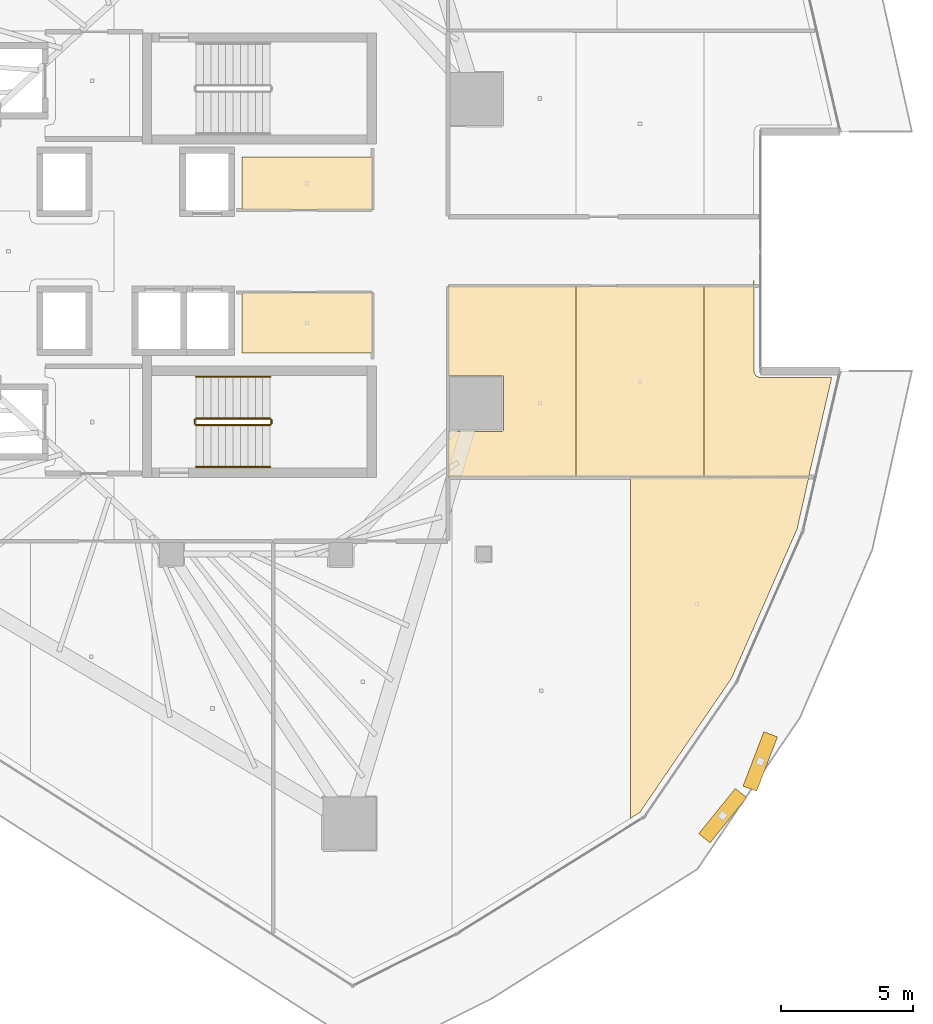
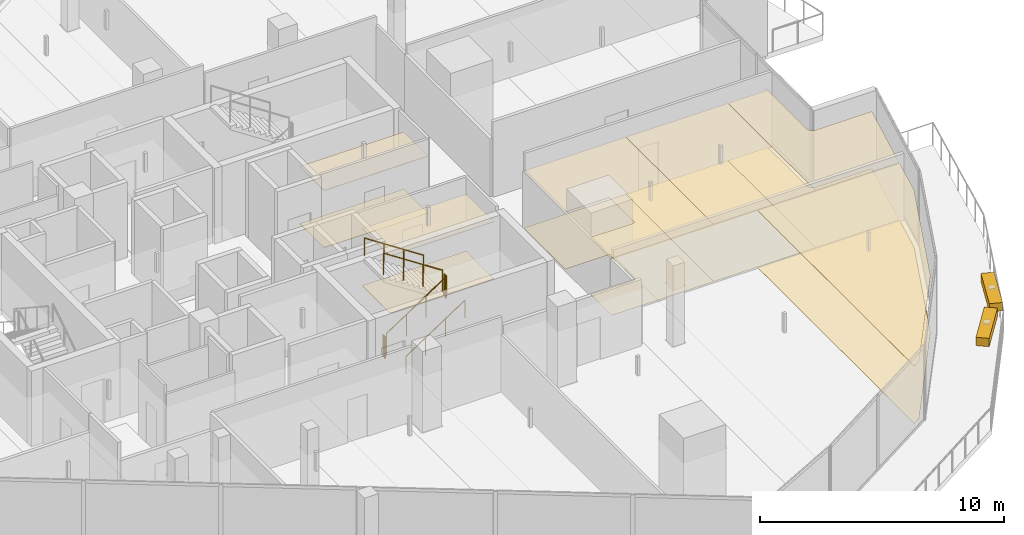
# One storey, part 34 of 37: 12 coverings, 6 railings, 2 shading devices.
"""IFC4 building model written with IfcOpenShell, lengths in metres."""

from ifc_helpers import new_model, si_unit, direction, frame, origin, origin_2d, place, context, subcontext, project, spatial, polyline, rectangle, circle, outline, extrude, material, layer, layer_set, type_object, element, save


model = new_model("IFC4")

# Units and contexts
model_context = context("Model", 3, precision=1e-05, world=origin(), true_north=direction((0.0, 1.0)))
body_context = subcontext(model_context, "Body", "Model", "MODEL_VIEW")
ifc_project = project(units=[si_unit("LENGTHUNIT", "METRE"), si_unit("AREAUNIT", "SQUARE_METRE"), si_unit("VOLUMEUNIT", "CUBIC_METRE"), si_unit("PLANEANGLEUNIT", "RADIAN"), si_unit("MASSUNIT", "GRAM", prefix="KILO")], contexts=[model_context])

# Site, building, storey
site_placement = place(None, origin())
site = spatial("IfcSite", under=ifc_project, at=site_placement, CompositionType="ELEMENT")
building_placement = place(site_placement, origin())
building = spatial("IfcBuilding", under=site, at=building_placement, Name="Qorvath Tower", CompositionType="ELEMENT")
storey_placement = place(building_placement, frame((0.0, 0.0, 196.949951171875)))
storey = spatial("IfcBuildingStorey", under=building, at=storey_placement, Name="L45", CompositionType="ELEMENT", Elevation=196.949951171875)

# Coverings
ifc_material_1 = material(Name="Acoustic mineral fibre ceiling tile", Category="gypsum")
ifc_layer_1 = layer(ifc_material_1, 0.030029296875)
ifc_layer_set_1 = layer_set([ifc_layer_1], Name="COV-CEIL")
covering_type_1 = type_object("IfcCoveringType", Name="COV-CEIL", PredefinedType="CEILING", material=ifc_layer_set_1)
covering_1_placement = place(storey_placement, frame((0.0, 0.0, 2.85009765625)))
element("IfcCovering", 1, at=covering_1_placement, inside=storey, type_object=covering_type_1, Name="L45 Suspended Acoustic Ceiling 003", PredefinedType="CEILING", context=body_context, shape_type="SweptSolid", body=[
    extrude(outline(polyline([(-16.0048828125, 3.56005859375), (-20.93994140625, 3.56005859375), (-20.93994140625, 1.56494140625), (-16.0048828125, 1.56494140625), (-16.0048828125, 3.56005859375)])), origin(), (0.0, 0.0, 1.0), 0.030029296875),
])
covering_2_placement = place(storey_placement, frame((0.0, 0.0, 2.85009765625)))
element("IfcCovering", 2, at=covering_2_placement, inside=storey, type_object=covering_type_1, Name="L45 Suspended Acoustic Ceiling 004", PredefinedType="CEILING", context=body_context, shape_type="SweptSolid", body=[
    extrude(outline(polyline([(-20.93994140625, -1.56494140625), (-20.93994140625, -3.85009765625), (-16.0048828125, -3.85009765625), (-16.0048828125, -1.56494140625), (-20.93994140625, -1.56494140625)])), origin(), (0.0, 0.0, 1.0), 0.030029296875),
])
covering_3_placement = place(storey_placement, frame((0.0, 0.0, 2.85009765625)))
element("IfcCovering", 3, at=covering_3_placement, inside=storey, type_object=covering_type_1, Name="L45 Suspended Acoustic Ceiling 027", PredefinedType="CEILING", context=body_context, shape_type="SweptSolid", body=[
    extrude(outline(polyline([(-6.247802734375, -8.54736328125), (-6.247802734375, -21.436767578125), (-5.896240234375, -21.218505859375), (-2.42919921875, -16.149169921875), (0.0537109375, -10.499267578125), (0.497802734375, -8.539794921875), (-6.247802734375, -8.54736328125)])), origin(), (0.0, 0.0, 1.0), 0.030029296875),
])
covering_4_placement = place(storey_placement, frame((0.0, 0.0, 2.85009765625)))
element("IfcCovering", 4, at=covering_4_placement, inside=storey, type_object=covering_type_1, Name="L45 Suspended Acoustic Ceiling 028", PredefinedType="CEILING", context=body_context, shape_type="SweptSolid", body=[
    extrude(outline(polyline([(-8.3037109375, -8.531494140625), (-8.3037109375, -1.31298828125), (-13.136962890625, -1.31298828125), (-13.136962890625, -4.714599609375), (-11.054443359375, -4.715576171875), (-11.036865234375, -6.7578125), (-11.0966796875, -6.81787109375), (-13.136962890625, -6.80126953125), (-13.136962890625, -8.537109375), (-8.3037109375, -8.531494140625)])), origin(), (0.0, 0.0, 1.0), 0.030029296875),
])
covering_5_placement = place(storey_placement, frame((0.0, 0.0, 2.85009765625)))
element("IfcCovering", 5, at=covering_5_placement, inside=storey, type_object=covering_type_1, Name="L45 Suspended Acoustic Ceiling 029", PredefinedType="CEILING", context=body_context, shape_type="SweptSolid", body=[
    extrude(outline(polyline([(-3.47021484375, -8.526123046875), (-3.47021484375, -1.31298828125), (-8.3037109375, -1.31298828125), (-8.3037109375, -8.531494140625), (-3.47021484375, -8.526123046875)])), origin(), (0.0, 0.0, 1.0), 0.030029296875),
])
covering_6_placement = place(storey_placement, frame((0.0, 0.0, 2.85009765625)))
element("IfcCovering", 6, at=covering_6_placement, inside=storey, type_object=covering_type_1, Name="L45 Suspended Acoustic Ceiling 030", PredefinedType="CEILING", context=body_context, shape_type="SweptSolid", body=[
    extrude(outline(polyline([(-1.491943359375, -4.715576171875), (-1.579345703125, -4.568603515625), (-1.583984375, -1.0869140625), (-1.60107421875, -1.31298828125), (-3.47021484375, -1.31298828125), (-3.47021484375, -8.526123046875), (0.49267578125, -8.521728515625), (1.363037109375, -4.77490234375), (-1.353515625, -4.773681640625), (-1.491943359375, -4.715576171875)])), origin(), (0.0, 0.0, 1.0), 0.030029296875),
])
ifc_material_2 = material(Name="Low-VOC modular carpet tile", Category="textile")
ifc_layer_2 = layer(ifc_material_2, 0.014892578125)
ifc_layer_set_2 = layer_set([ifc_layer_2], Name="COV-FLOOR-CPT")
covering_type_2 = type_object("IfcCoveringType", Name="COV-FLOOR-CPT", PredefinedType="FLOORING", material=ifc_layer_set_2)
covering_7_placement = place(storey_placement, origin())
element("IfcCovering", 7, at=covering_7_placement, inside=storey, type_object=covering_type_2, Name="L45 Floor Finish 003", PredefinedType="FLOORING", context=body_context, shape_type="SweptSolid", body=[
    extrude(outline(polyline([(-16.0048828125, 3.56005859375), (-20.93994140625, 3.56005859375), (-20.93994140625, 1.56494140625), (-16.0048828125, 1.56494140625), (-16.0048828125, 3.56005859375)])), origin(), (0.0, 0.0, 1.0), 0.01513671875),
])
covering_8_placement = place(storey_placement, origin())
element("IfcCovering", 8, at=covering_8_placement, inside=storey, type_object=covering_type_2, Name="L45 Floor Finish 004", PredefinedType="FLOORING", context=body_context, shape_type="SweptSolid", body=[
    extrude(outline(polyline([(-20.93994140625, -1.56494140625), (-20.93994140625, -3.85009765625), (-16.0048828125, -3.85009765625), (-16.0048828125, -1.56494140625), (-20.93994140625, -1.56494140625)])), origin(), (0.0, 0.0, 1.0), 0.01513671875),
])
covering_9_placement = place(storey_placement, origin())
element("IfcCovering", 9, at=covering_9_placement, inside=storey, type_object=covering_type_2, Name="L45 Floor Finish 027", PredefinedType="FLOORING", context=body_context, shape_type="SweptSolid", body=[
    extrude(outline(polyline([(-6.247802734375, -8.54736328125), (-6.247802734375, -21.436767578125), (-5.896240234375, -21.218505859375), (-2.42919921875, -16.149169921875), (0.0537109375, -10.499267578125), (0.497802734375, -8.539794921875), (-6.247802734375, -8.54736328125)])), origin(), (0.0, 0.0, 1.0), 0.01513671875),
])
covering_10_placement = place(storey_placement, origin())
element("IfcCovering", 10, at=covering_10_placement, inside=storey, type_object=covering_type_2, Name="L45 Floor Finish 028", PredefinedType="FLOORING", context=body_context, shape_type="SweptSolid", body=[
    extrude(outline(polyline([(-8.3037109375, -8.531494140625), (-8.3037109375, -1.31298828125), (-13.136962890625, -1.31298828125), (-13.136962890625, -4.714599609375), (-11.054443359375, -4.715576171875), (-11.036865234375, -6.7578125), (-11.0966796875, -6.81787109375), (-13.136962890625, -6.80126953125), (-13.136962890625, -8.537109375), (-8.3037109375, -8.531494140625)])), origin(), (0.0, 0.0, 1.0), 0.01513671875),
])
covering_11_placement = place(storey_placement, origin())
element("IfcCovering", 11, at=covering_11_placement, inside=storey, type_object=covering_type_2, Name="L45 Floor Finish 029", PredefinedType="FLOORING", context=body_context, shape_type="SweptSolid", body=[
    extrude(outline(polyline([(-3.47021484375, -8.526123046875), (-3.47021484375, -1.31298828125), (-8.3037109375, -1.31298828125), (-8.3037109375, -8.531494140625), (-3.47021484375, -8.526123046875)])), origin(), (0.0, 0.0, 1.0), 0.01513671875),
])
covering_12_placement = place(storey_placement, origin())
element("IfcCovering", 12, at=covering_12_placement, inside=storey, type_object=covering_type_2, Name="L45 Floor Finish 030", PredefinedType="FLOORING", context=body_context, shape_type="SweptSolid", body=[
    extrude(outline(polyline([(-1.491943359375, -4.715576171875), (-1.579345703125, -4.568603515625), (-1.583984375, -1.0869140625), (-1.60107421875, -1.31298828125), (-3.47021484375, -1.31298828125), (-3.47021484375, -8.526123046875), (0.49267578125, -8.521728515625), (1.363037109375, -4.77490234375), (-1.353515625, -4.773681640625), (-1.491943359375, -4.715576171875)])), origin(), (0.0, 0.0, 1.0), 0.01513671875),
])

# Railings
ifc_material_3 = material(Name="Painted galvanised steel", Category="steel")
railing_type_1 = type_object("IfcRailingType", Name="RL-STR-GRD", PredefinedType="GUARDRAIL", material=ifc_material_3)
railing_1_placement = place(storey_placement, frame((-22.669921875, -6.570068359375, 0.18408203125)))
element("IfcRailing", 13, at=railing_1_placement, inside=storey, type_object=railing_type_1, Name="L45 TS2 stair guard 1", PredefinedType="GUARDRAIL", context=body_context, shape_type="SweptSolid", body=[
    extrude(circle(Radius=0.02392578125, at=origin_2d()), frame((0.0, 0.0, 1.076171875), z_axis=(0.835542071712, 0.0, 0.549426470421), x_axis=(0.0, 1.0, 0.0)), (0.0, 0.0, 1.0), 3.350830078125),
    extrude(circle(Radius=0.02099609375, at=origin_2d()), origin(), (0.0, 0.0, 1.0), 1.052001953125),
    extrude(circle(Radius=0.02099609375, at=origin_2d()), frame((0.933349609375, 0.0, 0.61376953125)), (0.0, 0.0, 1.0), 1.052001953125),
    extrude(circle(Radius=0.02099609375, at=origin_2d()), frame((1.866455078125, 0.0, 1.227294921875)), (0.0, 0.0, 1.0), 1.052001953125),
    extrude(circle(Radius=0.02099609375, at=origin_2d()), frame((2.7998046875, 0.0, 1.841064453125)), (0.0, 0.0, 1.0), 1.052001953125),
])
railing_2_placement = place(storey_placement, frame((-19.820068359375, -6.52001953125, 2.025146484375)))
element("IfcRailing", 14, at=railing_2_placement, inside=storey, type_object=railing_type_1, Name="L45 TS2 stair guard 2", PredefinedType="GUARDRAIL", context=body_context, shape_type="SweptSolid", body=[
    extrude(circle(Radius=0.02392578125, at=origin_2d()), frame((0.0, 0.0, 1.076171875), z_axis=(0.0, 1.0, 0.0), x_axis=(-1.0, 0.0, 0.0)), (0.0, 0.0, 1.0), 0.14990234375),
    extrude(circle(Radius=0.02099609375, at=origin_2d()), origin(), (0.0, 0.0, 1.0), 1.052001953125),
    extrude(circle(Radius=0.02099609375, at=origin_2d()), frame((0.0, 0.14990234375, 0.0)), (0.0, 0.0, 1.0), 1.052001953125),
])
railing_3_placement = place(storey_placement, frame((-19.8701171875, -6.320068359375, 2.209228515625)))
element("IfcRailing", 15, at=railing_3_placement, inside=storey, type_object=railing_type_1, Name="L45 TS2 stair guard 3", PredefinedType="GUARDRAIL", context=body_context, shape_type="SweptSolid", body=[
    extrude(circle(Radius=0.02392578125, at=origin_2d()), frame((0.0, 0.0, 1.076171875), z_axis=(-0.835575518608, 0.0, 0.549375602573), x_axis=(0.0, -1.0, 0.0)), (0.0, 0.0, 1.0), 3.350830078125),
    extrude(circle(Radius=0.02099609375, at=origin_2d()), origin(), (0.0, 0.0, 1.0), 1.052001953125),
    extrude(circle(Radius=0.02099609375, at=origin_2d()), frame((-0.933349609375, 0.0, 0.613525390625)), (0.0, 0.0, 1.0), 1.052001953125),
    extrude(circle(Radius=0.02099609375, at=origin_2d()), frame((-1.866455078125, 0.0, 1.227294921875)), (0.0, 0.0, 1.0), 1.052001953125),
    extrude(circle(Radius=0.02099609375, at=origin_2d()), frame((-2.7998046875, 0.0, 1.8408203125)), (0.0, 0.0, 1.0), 1.052001953125),
])
railing_4_placement = place(storey_placement, frame((-22.719970703125, -6.52001953125, 0.0)))
element("IfcRailing", 16, at=railing_4_placement, inside=storey, type_object=railing_type_1, Name="L45 TS2 stair guard 4", PredefinedType="GUARDRAIL", context=body_context, shape_type="SweptSolid", body=[
    extrude(circle(Radius=0.02392578125, at=origin_2d()), frame((0.0, 0.0, 1.076171875), z_axis=(0.0, 1.0, 0.0), x_axis=(-1.0, 0.0, 0.0)), (0.0, 0.0, 1.0), 0.14990234375),
    extrude(circle(Radius=0.02099609375, at=origin_2d()), origin(), (0.0, 0.0, 1.0), 1.052001953125),
    extrude(circle(Radius=0.02099609375, at=origin_2d()), frame((0.0, 0.14990234375, 0.0)), (0.0, 0.0, 1.0), 1.052001953125),
])
ifc_material_4 = material(Name="Brushed stainless steel AISI 304", Category="steel")
railing_type_2 = type_object("IfcRailingType", Name="RL-STR-HND", PredefinedType="HANDRAIL", material=ifc_material_4)
railing_5_placement = place(storey_placement, frame((-22.669921875, -8.14990234375, 0.18408203125)))
element("IfcRailing", 17, at=railing_5_placement, inside=storey, type_object=railing_type_2, Name="L45 TS2 stair handrail 1", PredefinedType="HANDRAIL", context=body_context, shape_type="SweptSolid", body=[
    extrude(circle(Radius=0.02392578125, at=origin_2d()), frame((0.0, 0.0, 0.8759765625), z_axis=(0.835542071712, 0.0, 0.549426470421), x_axis=(0.0, 1.0, 0.0)), (0.0, 0.0, 1.0), 3.350830078125),
    extrude(circle(Radius=0.02099609375, at=origin_2d()), origin(), (0.0, 0.0, 1.0), 0.851806640625),
    extrude(circle(Radius=0.02099609375, at=origin_2d()), frame((0.933349609375, 0.0, 0.61376953125)), (0.0, 0.0, 1.0), 0.851806640625),
    extrude(circle(Radius=0.02099609375, at=origin_2d()), frame((1.866455078125, 0.0, 1.227294921875)), (0.0, 0.0, 1.0), 0.851806640625),
    extrude(circle(Radius=0.02099609375, at=origin_2d()), frame((2.7998046875, 0.0, 1.841064453125)), (0.0, 0.0, 1.0), 0.851806640625),
])
railing_6_placement = place(storey_placement, frame((-19.8701171875, -4.739990234375, 2.209228515625)))
element("IfcRailing", 18, at=railing_6_placement, inside=storey, type_object=railing_type_2, Name="L45 TS2 stair handrail 2", PredefinedType="HANDRAIL", context=body_context, shape_type="SweptSolid", body=[
    extrude(circle(Radius=0.02392578125, at=origin_2d()), frame((0.0, 0.0, 0.8759765625), z_axis=(-0.835575518608, 0.0, 0.549375602573), x_axis=(0.0, -1.0, 0.0)), (0.0, 0.0, 1.0), 3.350830078125),
    extrude(circle(Radius=0.02099609375, at=origin_2d()), origin(), (0.0, 0.0, 1.0), 0.851806640625),
    extrude(circle(Radius=0.02099609375, at=origin_2d()), frame((-0.933349609375, 0.0, 0.613525390625)), (0.0, 0.0, 1.0), 0.851806640625),
    extrude(circle(Radius=0.02099609375, at=origin_2d()), frame((-1.866455078125, 0.0, 1.227294921875)), (0.0, 0.0, 1.0), 0.851806640625),
    extrude(circle(Radius=0.02099609375, at=origin_2d()), frame((-2.7998046875, 0.0, 1.8408203125)), (0.0, 0.0, 1.0), 0.851806640625),
])

# Shading devices
ifc_material_5 = material(Name="Anodised bronze-champagne aluminium", Category="aluminium")
shading_device_type = type_object("IfcShadingDeviceType", Name="SD-LOUVRE", PredefinedType="JALOUSIE", material=ifc_material_5)
for number, where, z_axis, x_axis, name in (
    (19, (-2.759521484375, -21.33642578125, 3.360107421875), (0.0, 0.0, 1.0), (0.628628390287, 0.777705822869, 0.0), "Sinusoidal Wave Louvre Blade L45-03"),
    (20, (-1.33935546875, -19.288818359375, 3.360107421875), (0.0, 0.0, 1.0), (0.357683503127, 0.933842873074, 0.0), "Sinusoidal Wave Louvre Blade L45-04"),
):
    element("IfcShadingDevice", number, at=place(storey_placement, frame(where, z_axis=z_axis, x_axis=x_axis)), inside=storey, type_object=shading_device_type, Name=name, PredefinedType="NOTDEFINED", context=body_context, shape_type="SweptSolid", body=[
        extrude(rectangle(XDim=2.199951171875, YDim=0.550048828125, at=origin_2d()), origin(), (0.0, 0.0, 1.0), 0.419921875),
    ])

save(model, "model.ifc")
